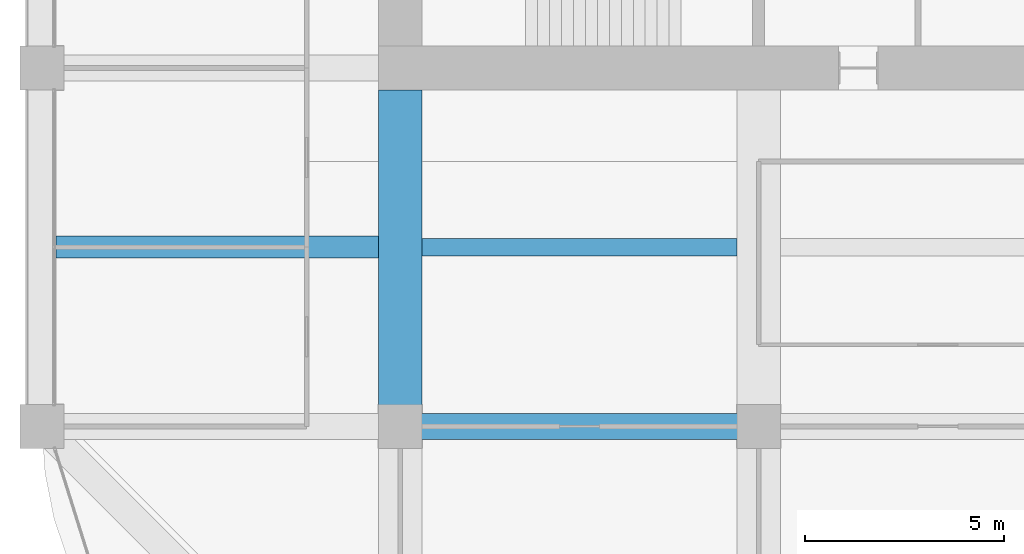
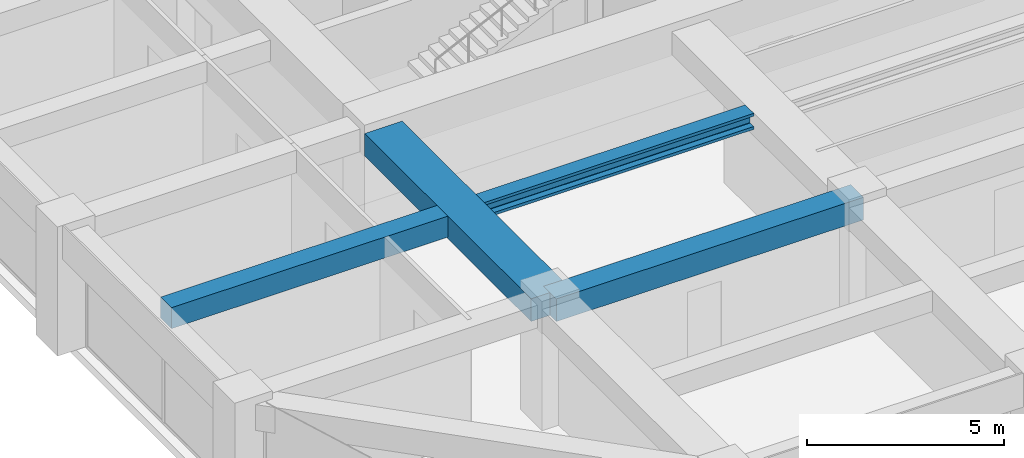
# One storey, part 8 of 45: 4 beams.
"""IFC4 building model written with IfcOpenShell, lengths in metres."""

import ifcopenshell
import ifcopenshell.guid

model = None  # the IFC model being written
_history = None  # IfcOwnerHistory: only IFC2X3 demands one
_inside = {}  # id of a spatial element -> (the spatial element, [elements in it])
_under = {}  # id of a project, library or spatial element -> (it, [spatial elements below it])
_declared = {}  # id of a project -> (the project, [libraries it declares])
_typed = {}  # id of a type object -> (the type object, [elements of that type])
_made_of = {}  # id of a material, layer set ... -> (it, [elements and type objects made of it])


def new_model(schema):
    """Start an empty IFC model of exactly this schema.

    Asked for "IFC4X3", IfcOpenShell would pick the latest addendum, in which some entities
    have other attributes; the version numbers below select the first issue.
    IFC2X3 requires an IfcOwnerHistory on every rooted entity: one is made here for all.
    """
    global model, _history
    if schema == "IFC4X3":
        model = ifcopenshell.file(schema_version=(4, 3, 0, 0))
    else:
        model = ifcopenshell.file(schema=schema)
    _inside.clear()
    _under.clear()
    _declared.clear()
    _typed.clear()
    _made_of.clear()
    _history = None
    if model.schema == "IFC2X3":
        org = make("IfcOrganization", Name="unknown")
        user = make(
            "IfcPersonAndOrganization",
            ThePerson=make("IfcPerson", FamilyName="unknown"),
            TheOrganization=org,
        )
        app = make(
            "IfcApplication",
            ApplicationDeveloper=org,
            Version="unknown",
            ApplicationFullName="unknown",
            ApplicationIdentifier="unknown",
        )
        _history = make(
            "IfcOwnerHistory",
            OwningUser=user,
            OwningApplication=app,
            ChangeAction="ADDED",
            CreationDate=0,
        )
    return model


def make(cls, **values):
    """One entity of the class cls with the attributes given. An attribute that is None is left unset."""
    return model.create_entity(
        cls, **{name: value for name, value in values.items() if value is not None}
    )


def rooted(cls, **values):
    """An entity with a GlobalId (a new one), such as an element, a storey or a relation."""
    return make(cls, GlobalId=ifcopenshell.guid.new(), OwnerHistory=_history, **values)


def si_unit(unit_type, name, prefix=None):
    """IfcSIUnit, for example si_unit("LENGTHUNIT", "METRE", prefix="MILLI")."""
    return make("IfcSIUnit", UnitType=unit_type, Prefix=prefix, Name=name)


def assignment(units):
    """IfcUnitAssignment: the units of a project."""
    return None if units is None else make("IfcUnitAssignment", Units=units)


def point(xyz):
    """IfcCartesianPoint."""
    return None if xyz is None else make("IfcCartesianPoint", Coordinates=xyz)


def direction(xyz):
    """IfcDirection."""
    return None if xyz is None else make("IfcDirection", DirectionRatios=xyz)


def frame(location, z_axis=None, x_axis=None):
    """IfcAxis2Placement3D, a coordinate frame: its origin and axes. An axis left out is left unset."""
    return make(
        "IfcAxis2Placement3D",
        Location=point(location),
        Axis=direction(z_axis),
        RefDirection=direction(x_axis),
    )


def frame_2d(location, x_axis=None):
    """IfcAxis2Placement2D, a coordinate frame in the plane: its origin and x axis."""
    return make(
        "IfcAxis2Placement2D", Location=point(location), RefDirection=direction(x_axis)
    )


def origin():
    """The frame at (0, 0, 0) with its axes left unset."""
    return frame((0.0, 0.0, 0.0))


def origin_2d():
    """The frame at (0, 0) in the plane with its x axis left unset."""
    return frame_2d((0.0, 0.0))


def place(relative_to, where):
    """IfcLocalPlacement: puts the frame where relative to a parent placement (None: the world)."""
    return make(
        "IfcLocalPlacement", PlacementRelTo=relative_to, RelativePlacement=where
    )


def context(
    kind, dimensions, precision=None, world=None, true_north=None, identifier=None
):
    """IfcGeometricRepresentationContext, for example the 3D "Model" context."""
    return make(
        "IfcGeometricRepresentationContext",
        ContextIdentifier=identifier,
        ContextType=kind,
        CoordinateSpaceDimension=dimensions,
        Precision=precision,
        WorldCoordinateSystem=world,
        TrueNorth=true_north,
    )


def subcontext(parent, identifier, kind, view, scale=None):
    """IfcGeometricRepresentationSubContext, for example "Body" below "Model"."""
    return make(
        "IfcGeometricRepresentationSubContext",
        ContextIdentifier=identifier,
        ContextType=kind,
        ParentContext=parent,
        TargetScale=scale,
        TargetView=view,
    )


def project(units=None, contexts=None):
    """IfcProject with its units and contexts."""
    return rooted(
        "IfcProject",
        Name="project",
        RepresentationContexts=contexts,
        UnitsInContext=assignment(units),
    )


def spatial(cls, under=None, at=None, **own):
    """A site, building, storey or space (cls), placed at a placement, below another one or the project."""
    s = rooted(cls, ObjectPlacement=at, **own)
    if under is not None:
        _under.setdefault(under.id(), (under, []))[1].append(s)
    return s


def profile(cls, at=None, kind="AREA", **sizes):
    """A parametric profile (cls). Its sizes go by their IFC names, for example OverallWidth=200.0."""
    return make(cls, ProfileType=kind, Position=at, **sizes)


def rectangle(**sizes):
    """IfcRectangleProfileDef."""
    return profile("IfcRectangleProfileDef", **sizes)


def i_section(**sizes):
    """IfcIShapeProfileDef."""
    return profile("IfcIShapeProfileDef", **sizes)


def extrude(swept, where, along, depth):
    """IfcExtrudedAreaSolid: the profile swept, set in the frame where, extruded along a direction by depth."""
    return make(
        "IfcExtrudedAreaSolid",
        SweptArea=swept,
        Position=where,
        ExtrudedDirection=direction(along),
        Depth=depth,
    )


def shape(context_of_items, identifier, shape_type, items):
    """IfcShapeRepresentation: the items that make up one representation, for example the "Body"."""
    return make(
        "IfcShapeRepresentation",
        ContextOfItems=context_of_items,
        RepresentationIdentifier=identifier,
        RepresentationType=shape_type,
        Items=items,
    )


def material(Name=None, Category=None):
    """IfcMaterial."""
    return make("IfcMaterial", Name=Name, Category=Category)


def material_profile(
    of_material, cross_section, Name=None, Category=None, Priority=None
):
    """IfcMaterialProfile: a cross section and its material."""
    return make(
        "IfcMaterialProfile",
        Name=Name,
        Material=of_material,
        Profile=cross_section,
        Priority=Priority,
        Category=Category,
    )


def profile_set(profiles, Name=None, composite=None):
    """IfcMaterialProfileSet."""
    return make(
        "IfcMaterialProfileSet",
        Name=Name,
        MaterialProfiles=profiles,
        CompositeProfile=composite,
    )


def made_of(thing, what):
    """Note that an element or type object is made of a material, layer set ...; save() writes the relation."""
    if what is not None:
        _made_of.setdefault(what.id(), (what, []))[1].append(thing)
    return thing


def type_object(cls, material=None, **own):
    """A type object (cls), such as IfcWallType, which elements share."""
    return made_of(rooted(cls, **own), material)


def element(
    cls,
    number,
    at=None,
    inside=None,
    cuts=None,
    type_object=None,
    material=None,
    context=None,
    identifier="Body",
    shape_type=None,
    held_by="IfcProductDefinitionShape",
    body=None,
    shapes=None,
    **own,
):
    """One element of the class cls, such as IfcWall. Its Tag is "e" and its number.

    at: its placement. inside: the storey or other place that contains it. cuts: it is an
    opening in that element (IfcRelVoidsElement). A single representation is given by context,
    identifier, shape_type and body (its items); several are given by shapes. held_by: the class
    of the entity that holds the representations. save() writes the other relations.
    """
    e = rooted(cls, Tag="e%d" % number, ObjectPlacement=at, **own)
    if body is not None:
        shapes = [shape(context, identifier, shape_type, body)]
    if shapes is not None:
        e.Representation = make(held_by, Representations=shapes)
    if inside is not None:
        _inside.setdefault(inside.id(), (inside, []))[1].append(e)
    if cuts is not None:
        rooted(
            "IfcRelVoidsElement", RelatingBuildingElement=cuts, RelatedOpeningElement=e
        )
    if type_object is not None:
        _typed.setdefault(type_object.id(), (type_object, []))[1].append(e)
    return made_of(e, material)


def aggregate(whole, parts):
    """IfcRelAggregates: a whole, such as a stair, and the parts it consists of."""
    return rooted("IfcRelAggregates", RelatingObject=whole, RelatedObjects=parts)


def save(model, path):
    """Write the relations noted so far, then the file.

    IfcRelAggregates (storeys below a building ...), IfcRelContainedInSpatialStructure (elements
    in a storey), IfcRelDefinesByType, IfcRelAssociatesMaterial and IfcRelDeclares: one each for
    every whole, place, type object, material and project.
    """
    for whole, parts in _under.values():
        aggregate(whole, parts)
    for where, things in _inside.values():
        rooted(
            "IfcRelContainedInSpatialStructure",
            RelatedElements=things,
            RelatingStructure=where,
        )
    for kind, things in _typed.values():
        rooted("IfcRelDefinesByType", RelatedObjects=things, RelatingType=kind)
    for what, things in _made_of.values():
        rooted("IfcRelAssociatesMaterial", RelatedObjects=things, RelatingMaterial=what)
    for by, libraries in _declared.values():
        rooted("IfcRelDeclares", RelatingContext=by, RelatedDefinitions=libraries)
    model.write(path)


model = new_model("IFC4")

# Units and contexts
model_context = context("Model", 3, precision=1e-05, world=origin(), true_north=direction((0.0, 1.0)))
body_context = subcontext(model_context, "Body", "Model", "MODEL_VIEW")
ifc_project = project(units=[si_unit("LENGTHUNIT", "METRE"), si_unit("AREAUNIT", "SQUARE_METRE"), si_unit("VOLUMEUNIT", "CUBIC_METRE"), si_unit("PLANEANGLEUNIT", "RADIAN"), si_unit("MASSUNIT", "GRAM", prefix="KILO")], contexts=[model_context])

# Site, building, storey
site_placement = place(None, origin())
site = spatial("IfcSite", under=ifc_project, at=site_placement, CompositionType="ELEMENT")
building_placement = place(site_placement, origin())
building = spatial("IfcBuilding", under=site, at=building_placement, Name="Zorevar Civic Tower", CompositionType="ELEMENT")
storey_placement = place(building_placement, frame((0.0, 0.0, 291.39990234375)))
storey = spatial("IfcBuildingStorey", under=building, at=storey_placement, Name="L71", CompositionType="ELEMENT", Elevation=291.39990234375)

# Beams
ifc_material_1 = material(Name="Concrete C50/60", Category="concrete")
ifc_material_profile_1 = material_profile(ifc_material_1, rectangle(XDim=1.10009765625, YDim=0.699951171875, at=origin_2d()), Name="RC 1100x700")
ifc_profile_set_1 = profile_set([ifc_material_profile_1], Name="Concrete C50/60")
beam_type_1 = type_object("IfcBeamType", Name="Beam RC 1100x700", PredefinedType="BEAM", material=ifc_profile_set_1)
beam_1_placement = place(storey_placement, frame((18.0, 9.0, 3.400146484375), z_axis=(0.0, 1.0, 0.0), x_axis=(-1.0, 0.0, 0.0)))
element("IfcBeam", 1, at=beam_1_placement, inside=storey, type_object=beam_type_1, Name="Girder L72", PredefinedType="BEAM", context=body_context, shape_type="SweptSolid", body=[
    extrude(rectangle(XDim=1.10009765625, YDim=0.699951171875, at=origin_2d()), origin(), (0.0, 0.0, 1.0), 8.449951171875),
])
ifc_material_2 = material(Name="Concrete C50/60", Category="concrete")
ifc_material_profile_2 = material_profile(ifc_material_2, rectangle(XDim=0.550048828125, YDim=0.64990234375, at=origin_2d()), Name="RC 550x650")
ifc_profile_set_2 = profile_set([ifc_material_profile_2], Name="Concrete C50/60")
beam_type_2 = type_object("IfcBeamType", Name="Beam RC 550x650", PredefinedType="BEAM", material=ifc_profile_set_2)
beam_2_placement = place(storey_placement, frame((9.35009765625, 13.5, 3.425048828125), z_axis=(1.0, 0.0, 0.0), x_axis=(0.0, 1.0, 0.0)))
element("IfcBeam", 2, at=beam_2_placement, inside=storey, type_object=beam_type_2, Name="Secondary beam L72", PredefinedType="BEAM", context=body_context, shape_type="SweptSolid", body=[
    extrude(rectangle(XDim=0.550048828125, YDim=0.64990234375, at=origin_2d()), origin(), (0.0, 0.0, 1.0), 8.099853515625),
])
ifc_material_3 = material(Name="Concrete C50/60", Category="concrete")
ifc_material_profile_3 = material_profile(ifc_material_3, rectangle(XDim=0.64990234375, YDim=0.699951171875, at=origin_2d()), Name="RC 650x700")
ifc_profile_set_3 = profile_set([ifc_material_profile_3], Name="Concrete C50/60")
beam_type_3 = type_object("IfcBeamType", Name="Beam RC 650x700", PredefinedType="BEAM", material=ifc_profile_set_3)
beam_3_placement = place(storey_placement, frame((18.0, 9.0, 3.400146484375), z_axis=(1.0, 0.0, 0.0), x_axis=(0.0, 1.0, 0.0)))
element("IfcBeam", 3, at=beam_3_placement, inside=storey, type_object=beam_type_3, Name="Girder L72", PredefinedType="BEAM", context=body_context, shape_type="SweptSolid", body=[
    extrude(rectangle(XDim=0.64990234375, YDim=0.699951171875, at=origin_2d()), origin(), (0.0, 0.0, 1.0), 9.0),
])
ifc_material_4 = material(Name="Steel S460M (HISTAR 460)", Category="steel")
ifc_material_profile_4 = material_profile(ifc_material_4, i_section(OverallWidth=0.431884765625, OverallDepth=0.498046875, WebThickness=0.0556640625, FlangeThickness=0.0888671875, FilletRadius=0.014892578125, at=origin_2d()), Name="HD 400x744")
ifc_profile_set_4 = profile_set([ifc_material_profile_4], Name="Steel S460M (HISTAR 460)")
beam_type_4 = type_object("IfcBeamType", Name="Core bay beam HD 400x744", PredefinedType="BEAM", material=ifc_profile_set_4)
beam_4_placement = place(storey_placement, frame((18.550048828125, 13.5, 3.5009765625), z_axis=(1.0, 0.0, 0.0), x_axis=(0.0, 1.0, 0.0)))
element("IfcBeam", 4, at=beam_4_placement, inside=storey, type_object=beam_type_4, Name="Secondary beam L72", PredefinedType="BEAM", context=body_context, shape_type="SweptSolid", body=[
    extrude(i_section(OverallWidth=0.431884765625, OverallDepth=0.498046875, WebThickness=0.0556640625, FlangeThickness=0.0888671875, FilletRadius=0.014892578125, at=origin_2d()), origin(), (0.0, 0.0, 1.0), 7.89990234375),
])

save(model, "model.ifc")
